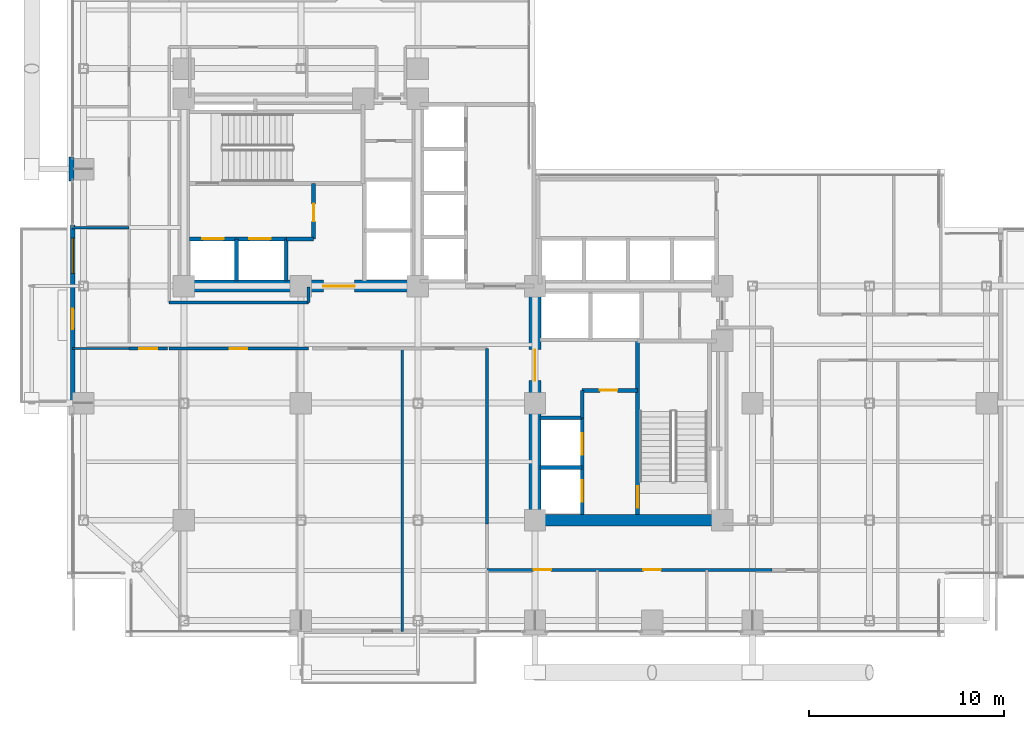
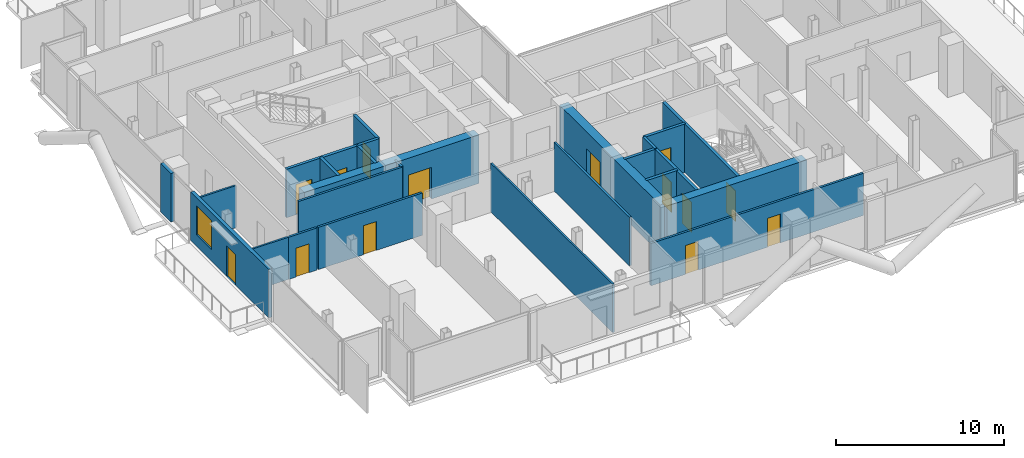
# One storey, part 20 of 26: 25 walls, 14 doors, 1 window, 15 openings.
"""IFC4 building model written with IfcOpenShell, lengths in metres."""

from ifc_helpers import new_model, si_unit, direction, frame, frame_2d, origin, place, context, subcontext, project, spatial, rectangle, extrude, material, layer, layer_set, type_object, element, fill, save


model = new_model("IFC4")

# Units and contexts
model_context = context("Model", 3, precision=1e-05, world=origin(), true_north=direction((0.0, 1.0)))
body_context = subcontext(model_context, "Body", "Model", "MODEL_VIEW")
ifc_project = project(units=[si_unit("LENGTHUNIT", "METRE"), si_unit("AREAUNIT", "SQUARE_METRE"), si_unit("VOLUMEUNIT", "CUBIC_METRE"), si_unit("PLANEANGLEUNIT", "RADIAN"), si_unit("MASSUNIT", "GRAM", prefix="KILO"), si_unit("THERMODYNAMICTEMPERATUREUNIT", "KELVIN"), si_unit("POWERUNIT", "WATT")], contexts=[model_context])

# Site, building, storey
site_placement = place(None, origin())
site = spatial("IfcSite", under=ifc_project, at=site_placement, CompositionType="ELEMENT")
building_placement = place(site_placement, origin())
building = spatial("IfcBuilding", under=site, at=building_placement, Name="Svarakhadi Broadcast Tower", CompositionType="ELEMENT")
storey_placement = place(building_placement, frame((0.0, 0.0, 99.60009765625)))
storey = spatial("IfcBuildingStorey", under=building, at=storey_placement, Name="L23", CompositionType="ELEMENT", Elevation=99.60009765625)

# Wall, openings, door, window
ifc_material_1 = material(Name="Concrete C40/50 (IS 456 M50)", Category="concrete")
ifc_layer_1 = layer(ifc_material_1, 0.239990234375)
ifc_layer_set_1 = layer_set([ifc_layer_1], Name="Concrete C40/50 (IS 456 M50)")
wall_type_1 = type_object("IfcWallType", Name="Wall_Ext_240", PredefinedType="SOLIDWALL", material=ifc_layer_set_1)
wall_1_placement = place(storey_placement, frame((0.300048828125, 11.85498046875, 0.0), z_axis=(0.0, 0.0, 1.0), x_axis=(0.0, 1.0, 0.0)))
wall_1 = element("IfcWall", 1, at=wall_1_placement, inside=storey, type_object=wall_type_1, Name="L23 West Tree Balcony Spandrel Wall", PredefinedType="SOLIDWALL", context=body_context, shape_type="SweptSolid", body=[
    extrude(rectangle(XDim=9.2900390625, YDim=0.239990234375, at=frame_2d((4.64501953125, 0.0))), origin(), (0.0, 0.0, 1.0), 3.52490234375),
])
opening_1_placement = place(wall_1_placement, frame((3.945068359375, 0.0, 0.0)))
opening_1 = element("IfcOpeningElement", 2, at=opening_1_placement, cuts=wall_1, Name="Opening ED-06", PredefinedType="OPENING", context=body_context, shape_type="SweptSolid", body=[
    extrude(rectangle(XDim=1.050048828125, YDim=2.199951171875, at=frame_2d((0.52490234375, 1.10009765625))), frame((0.0, 0.1298828125, 0.0), z_axis=(0.0, -1.0, 0.0), x_axis=(1.0, 0.0, 0.0)), (0.0, 0.0, 1.0), 0.260009765625),
])
opening_2_placement = place(wall_1_placement, frame((6.800048828125, 0.0, 0.85009765625)))
opening_2 = element("IfcOpeningElement", 3, at=opening_2_placement, cuts=wall_1, Name="Opening WN-02", PredefinedType="OPENING", context=body_context, shape_type="SweptSolid", body=[
    extrude(rectangle(XDim=1.800048828125, YDim=2.10009765625, at=frame_2d((0.89990234375, 1.050048828125))), frame((0.0, 0.1298828125, 0.0), z_axis=(0.0, -1.0, 0.0), x_axis=(1.0, 0.0, 0.0)), (0.0, 0.0, 1.0), 0.260009765625),
])
ifc_material_2 = material(Name="Anodised Bronze Aluminium AA 6063-T6", Category="aluminium")
door_type_1 = type_object("IfcDoorType", Name="Door_Ext_ED06", OperationType="SINGLE_SWING_RIGHT", PredefinedType="DOOR", material=ifc_material_2)
door_1_placement = place(opening_1_placement, origin())
door_1 = element("IfcDoor", 4, at=door_1_placement, inside=storey, type_object=door_type_1, Name="L23 West Tree Balcony Door", OperationType="SINGLE_SWING_RIGHT", OverallHeight=2.199951171875, OverallWidth=1.050048828125, PredefinedType="DOOR", context=body_context, shape_type="SweptSolid", body=[
    extrude(rectangle(XDim=1.050048828125, YDim=2.199951171875, at=frame_2d((0.52490234375, 1.10009765625))), frame((0.0, 0.02490234375, 0.0), z_axis=(0.0, -1.0, 0.0), x_axis=(1.0, 0.0, 0.0)), (0.0, 0.0, 1.0), 0.050048828125),
])
fill(opening_1, door_1)
ifc_material_3 = material(Name="Double Low-E Laminated Acoustic Glass IGU 36 mm", Category="glass")
window_type = type_object("IfcWindowType", Name="Win_Fixed_WN02", PartitioningType="SINGLE_PANEL", PredefinedType="WINDOW", material=ifc_material_3)
window_placement = place(opening_2_placement, origin())
window = element("IfcWindow", 5, at=window_placement, inside=storey, type_object=window_type, Name="L23 West Tree Balcony Window", OverallHeight=2.10009765625, OverallWidth=1.800048828125, PartitioningType="SINGLE_PANEL", PredefinedType="WINDOW", context=body_context, shape_type="SweptSolid", body=[
    extrude(rectangle(XDim=1.800048828125, YDim=2.10009765625, at=frame_2d((0.89990234375, 1.050048828125))), frame((0.0, 0.030029296875, 0.0), z_axis=(0.0, -1.0, 0.0), x_axis=(1.0, 0.0, 0.0)), (0.0, 0.0, 1.0), 0.06005859375),
])
fill(opening_2, window)

# Walls
wall_2_placement = place(storey_placement, frame((0.239990234375, 23.385009765625, 0.0), z_axis=(0.0, 0.0, 1.0), x_axis=(0.0, 1.0, 0.0)))
element("IfcWall", 6, at=wall_2_placement, inside=storey, type_object=wall_type_1, Name="L23 Perimeter Bronze Spandrel Closure Wall 02", PredefinedType="SOLIDWALL", context=body_context, shape_type="SweptSolid", body=[
    extrude(rectangle(XDim=1.22998046875, YDim=0.239990234375, at=frame_2d((0.614990234375, 0.0))), origin(), (0.0, 0.0, 1.0), 3.52490234375),
])
ifc_material_4 = material(Name="Fire-Rated Moisture-Resistant Gypsum Board Partition", Category="gypsum")
ifc_layer_2 = layer(ifc_material_4, 0.125)
ifc_layer_set_2 = layer_set([ifc_layer_2], Name="Fire-Rated Moisture-Resistant Gypsum Board Partition")
wall_type_2 = type_object("IfcWallType", Name="Wall_Part_125", PredefinedType="PARTITIONING", material=ifc_layer_set_2)
wall_3_placement = place(storey_placement, frame((17.199951171875, 0.300048828125, 0.0), z_axis=(0.0, 0.0, 1.0), x_axis=(0.0, 1.0, 0.0)))
element("IfcWall", 7, at=wall_3_placement, inside=storey, type_object=wall_type_2, Name="L23 Regional Editors Room Wall", PredefinedType="PARTITIONING", context=body_context, shape_type="SweptSolid", body=[
    extrude(rectangle(XDim=14.5, YDim=0.125, at=frame_2d((7.25, 0.0))), origin(), (0.0, 0.0, 1.0), 3.52490234375),
])
for number, where, z_axis, x_axis, name in (
    (8, (0.300048828125, 14.800048828125, 0.0), (0.0, 0.0, 1.0), (1.0, 0.0, 0.0), "L23 Arabian Sea Commentary Booth Wall"),
    (9, (0.300048828125, 21.0, 0.0), (0.0, 0.0, 1.0), (1.0, 0.0, 0.0), "L23 Arabian Sea Commentary Booth Wall"),
):
    element("IfcWall", number, at=place(storey_placement, frame(where, z_axis=z_axis, x_axis=x_axis)), inside=storey, type_object=wall_type_2, Name=name, PredefinedType="PARTITIONING", context=body_context, shape_type="SweptSolid", body=[
        extrude(rectangle(XDim=2.89990234375, YDim=0.125, at=frame_2d((1.449951171875, 0.0))), origin(), (0.0, 0.0, 1.0), 3.06689453125),
    ])

# Wall, openings, doors
ifc_material_5 = material(Name="Autoclaved Aerated Concrete Blockwork 150 mm", Category="masonry")
ifc_layer_3 = layer(ifc_material_5, 0.14990234375)
ifc_layer_set_3 = layer_set([ifc_layer_3], Name="Autoclaved Aerated Concrete Blockwork 150 mm")
wall_type_3 = type_object("IfcWallType", Name="Wall_Part_150", PredefinedType="PARTITIONING", material=ifc_layer_set_3)
wall_4_placement = place(storey_placement, frame((36.14990234375, 3.449951171875, 0.0), z_axis=(0.0, 0.0, 1.0), x_axis=(-1.0, 0.0, 0.0)))
wall_4 = element("IfcWall", 10, at=wall_4_placement, inside=storey, type_object=wall_type_3, Name="L23 Broadcast Corridor Wall", PredefinedType="PARTITIONING", context=body_context, shape_type="SweptSolid", body=[
    extrude(rectangle(XDim=14.599853515625, YDim=0.14990234375, at=frame_2d((7.2998046875, 0.0))), origin(), (0.0, 0.0, 1.0), 3.06689453125),
])
opening_3_placement = place(wall_4_placement, frame((11.324951171875, 0.0, 0.0)))
opening_3 = element("IfcOpeningElement", 11, at=opening_3_placement, cuts=wall_4, Name="Opening D-14", PredefinedType="OPENING", context=body_context, shape_type="SweptSolid", body=[
    extrude(rectangle(XDim=0.89990234375, YDim=2.10009765625, at=frame_2d((0.449951171875, 1.050048828125))), frame((0.0, 0.0849609375, 0.0), z_axis=(0.0, -1.0, 0.0), x_axis=(1.0, 0.0, 0.0)), (0.0, 0.0, 1.0), 0.169921875),
])
opening_4_placement = place(wall_4_placement, frame((5.699951171875, 0.0, 0.0)))
opening_4 = element("IfcOpeningElement", 12, at=opening_4_placement, cuts=wall_4, Name="Opening D-15", PredefinedType="OPENING", context=body_context, shape_type="SweptSolid", body=[
    extrude(rectangle(XDim=0.89990234375, YDim=2.10009765625, at=frame_2d((0.449951171875, 1.050048828125))), frame((0.0, 0.0849609375, 0.0), z_axis=(0.0, -1.0, 0.0), x_axis=(1.0, 0.0, 0.0)), (0.0, 0.0, 1.0), 0.169921875),
])
ifc_material_6 = material(Name="Solid-Core Teak Veneer Acoustic Timber Leaf", Category="wood")
door_type_2 = type_object("IfcDoorType", Name="Door_Int_D14", OperationType="SINGLE_SWING_LEFT", PredefinedType="DOOR", material=ifc_material_6)
door_2_placement = place(opening_3_placement, origin())
door_2 = element("IfcDoor", 13, at=door_2_placement, inside=storey, type_object=door_type_2, Name="L23 South Harbour Editorial Desk Door", OperationType="SINGLE_SWING_LEFT", OverallHeight=2.10009765625, OverallWidth=0.89990234375, PredefinedType="DOOR", context=body_context, shape_type="SweptSolid", body=[
    extrude(rectangle(XDim=0.89990234375, YDim=2.10009765625, at=frame_2d((0.449951171875, 1.050048828125))), frame((0.0, 0.02490234375, 0.0), z_axis=(0.0, -1.0, 0.0), x_axis=(1.0, 0.0, 0.0)), (0.0, 0.0, 1.0), 0.050048828125),
])
fill(opening_3, door_2)
door_type_3 = type_object("IfcDoorType", Name="Door_Int_D15", OperationType="SINGLE_SWING_RIGHT", PredefinedType="DOOR", material=ifc_material_6)
door_3_placement = place(opening_4_placement, origin())
door_3 = element("IfcDoor", 14, at=door_3_placement, inside=storey, type_object=door_type_3, Name="L23 Media Legal Review Office Door", OperationType="SINGLE_SWING_RIGHT", OverallHeight=2.10009765625, OverallWidth=0.89990234375, PredefinedType="DOOR", context=body_context, shape_type="SweptSolid", body=[
    extrude(rectangle(XDim=0.89990234375, YDim=2.10009765625, at=frame_2d((0.449951171875, 1.050048828125))), frame((0.0, 0.02490234375, 0.0), z_axis=(0.0, -1.0, 0.0), x_axis=(1.0, 0.0, 0.0)), (0.0, 0.0, 1.0), 0.050048828125),
])
fill(opening_4, door_3)

# Wall
wall_5_placement = place(storey_placement, frame((21.550048828125, 5.800048828125, 0.0), z_axis=(0.0, 0.0, 1.0), x_axis=(0.0, 1.0, 0.0)))
element("IfcWall", 15, at=wall_5_placement, inside=storey, type_object=wall_type_3, Name="L23 Broadcast Corridor Wall", PredefinedType="PARTITIONING", context=body_context, shape_type="SweptSolid", body=[
    extrude(rectangle(XDim=9.0, YDim=0.14990234375, at=frame_2d((4.5, 0.0))), origin(), (0.0, 0.0, 1.0), 3.52490234375),
])

# Wall, opening, door
wall_6_placement = place(storey_placement, frame((12.39990234375, 14.800048828125, 0.0), z_axis=(0.0, 0.0, 1.0), x_axis=(-1.0, 0.0, 0.0)))
wall_6 = element("IfcWall", 16, at=wall_6_placement, inside=storey, type_object=wall_type_3, Name="L23 Broadcast Corridor Wall", PredefinedType="PARTITIONING", context=body_context, shape_type="SweptSolid", body=[
    extrude(rectangle(XDim=7.14990234375, YDim=0.14990234375, at=frame_2d((3.574951171875, 0.0))), origin(), (0.0, 0.0, 1.0), 3.06689453125),
])
opening_5_placement = place(wall_6_placement, frame((3.14990234375, 0.0, 0.0)))
opening_5 = element("IfcOpeningElement", 17, at=opening_5_placement, cuts=wall_6, Name="Opening D-14", PredefinedType="OPENING", context=body_context, shape_type="SweptSolid", body=[
    extrude(rectangle(XDim=0.89990234375, YDim=2.10009765625, at=frame_2d((0.449951171875, 1.050048828125))), frame((0.0, 0.0849609375, 0.0), z_axis=(0.0, -1.0, 0.0), x_axis=(1.0, 0.0, 0.0)), (0.0, 0.0, 1.0), 0.169921875),
])
door_4_placement = place(opening_5_placement, origin())
door_4 = element("IfcDoor", 18, at=door_4_placement, inside=storey, type_object=door_type_2, Name="L23 Konkani Cultural Broadcast Office Door", OperationType="SINGLE_SWING_LEFT", OverallHeight=2.10009765625, OverallWidth=0.89990234375, PredefinedType="DOOR", context=body_context, shape_type="SweptSolid", body=[
    extrude(rectangle(XDim=0.89990234375, YDim=2.10009765625, at=frame_2d((0.449951171875, 1.050048828125))), frame((0.0, 0.02490234375, 0.0), z_axis=(0.0, -1.0, 0.0), x_axis=(1.0, 0.0, 0.0)), (0.0, 0.0, 1.0), 0.050048828125),
])
fill(opening_5, door_4)

wall_7_placement = place(storey_placement, frame((5.14990234375, 14.800048828125, 0.0), z_axis=(0.0, 0.0, 1.0), x_axis=(-1.0, 0.0, 0.0)))
wall_7 = element("IfcWall", 19, at=wall_7_placement, inside=storey, type_object=wall_type_3, Name="L23 Broadcast Corridor Wall", PredefinedType="PARTITIONING", context=body_context, shape_type="SweptSolid", body=[
    extrude(rectangle(XDim=1.949951171875, YDim=0.14990234375, at=frame_2d((0.97509765625, 0.0))), origin(), (0.0, 0.0, 1.0), 3.06689453125),
])
opening_6_placement = place(wall_7_placement, frame((0.52490234375, 0.0, 0.0)))
opening_6 = element("IfcOpeningElement", 20, at=opening_6_placement, cuts=wall_7, Name="Opening D-15", PredefinedType="OPENING", context=body_context, shape_type="SweptSolid", body=[
    extrude(rectangle(XDim=0.89990234375, YDim=2.10009765625, at=frame_2d((0.449951171875, 1.050048828125))), frame((0.0, 0.0849609375, 0.0), z_axis=(0.0, -1.0, 0.0), x_axis=(1.0, 0.0, 0.0)), (0.0, 0.0, 1.0), 0.169921875),
])
door_5_placement = place(opening_6_placement, origin())
door_5 = element("IfcDoor", 21, at=door_5_placement, inside=storey, type_object=door_type_3, Name="L23 Marathi Regional News Desk Door", OperationType="SINGLE_SWING_RIGHT", OverallHeight=2.10009765625, OverallWidth=0.89990234375, PredefinedType="DOOR", context=body_context, shape_type="SweptSolid", body=[
    extrude(rectangle(XDim=0.89990234375, YDim=2.10009765625, at=frame_2d((0.449951171875, 1.050048828125))), frame((0.0, 0.02490234375, 0.0), z_axis=(0.0, -1.0, 0.0), x_axis=(1.0, 0.0, 0.0)), (0.0, 0.0, 1.0), 0.050048828125),
])
fill(opening_6, door_5)

# Walls
wall_8_placement = place(storey_placement, frame((5.25, 17.14990234375, 0.0), z_axis=(0.0, 0.0, 1.0), x_axis=(1.0, 0.0, 0.0)))
element("IfcWall", 22, at=wall_8_placement, inside=storey, type_object=wall_type_3, Name="L23 Broadcast Corridor Wall", PredefinedType="PARTITIONING", context=body_context, shape_type="SweptSolid", body=[
    extrude(rectangle(XDim=7.14990234375, YDim=0.14990234375, at=frame_2d((3.574951171875, 0.0))), origin(), (0.0, 0.0, 1.0), 3.52490234375),
])
wall_9_placement = place(storey_placement, frame((12.39990234375, 17.14990234375, 0.0), z_axis=(0.0, 0.0, 1.0), x_axis=(0.0, 1.0, 0.0)))
element("IfcWall", 23, at=wall_9_placement, inside=storey, type_object=wall_type_3, Name="L23 Broadcast Corridor Wall", PredefinedType="PARTITIONING", context=body_context, shape_type="SweptSolid", body=[
    extrude(rectangle(XDim=0.800048828125, YDim=0.14990234375, at=frame_2d((0.39990234375, 0.0))), origin(), (0.0, 0.0, 1.0), 3.52490234375),
])

# Wall, opening, door
ifc_material_7 = material(Name="Concrete C50/60 (IS 456 M60)", Category="concrete")
ifc_layer_4 = layer(ifc_material_7, 0.199951171875)
ifc_layer_set_4 = layer_set([ifc_layer_4], Name="Concrete C50/60 (IS 456 M60)")
wall_type_4 = type_object("IfcWallType", Name="Wall_Shear_200", PredefinedType="SHEAR", material=ifc_layer_set_4)
wall_10_placement = place(storey_placement, frame((29.260009765625, 6.300048828125, 0.0), z_axis=(0.0, 0.0, 1.0), x_axis=(0.0, 1.0, 0.0)))
wall_10 = element("IfcWall", 24, at=wall_10_placement, inside=storey, type_object=wall_type_4, Name="L23 Stair ST-02 West RC Shaft Wall", PredefinedType="SHEAR", context=body_context, shape_type="SweptSolid", body=[
    extrude(rectangle(XDim=8.8798828125, YDim=0.199951171875, at=frame_2d((4.43994140625, 0.0))), origin(), (0.0, 0.0, 1.0), 3.52490234375),
])
opening_7_placement = place(wall_10_placement, frame((0.35009765625, 0.0, 0.0)))
opening_7 = element("IfcOpeningElement", 25, at=opening_7_placement, cuts=wall_10, Name="Opening D-02", PredefinedType="OPENING", context=body_context, shape_type="SweptSolid", body=[
    extrude(rectangle(XDim=1.10009765625, YDim=2.199951171875, at=frame_2d((0.550048828125, 1.10009765625))), frame((0.0, 0.10986328125, 0.0), z_axis=(0.0, -1.0, 0.0), x_axis=(1.0, 0.0, 0.0)), (0.0, 0.0, 1.0), 0.219970703125),
])
ifc_material_8 = material(Name="Galvanised Powder-Coated Fire-Rated Steel Leaf", Category="steel")
door_type_4 = type_object("IfcDoorType", Name="Door_Stair_D02", OperationType="SINGLE_SWING_RIGHT", PredefinedType="DOOR", material=ifc_material_8)
door_6_placement = place(opening_7_placement, origin())
door_6 = element("IfcDoor", 26, at=door_6_placement, inside=storey, type_object=door_type_4, Name="L23 Protected Exit Stair ST-02 Fire Door", OperationType="SINGLE_SWING_RIGHT", OverallHeight=2.199951171875, OverallWidth=1.10009765625, PredefinedType="DOOR", context=body_context, shape_type="SweptSolid", body=[
    extrude(rectangle(XDim=1.10009765625, YDim=2.199951171875, at=frame_2d((0.550048828125, 1.10009765625))), frame((0.0, 0.02490234375, 0.0), z_axis=(0.0, -1.0, 0.0), x_axis=(1.0, 0.0, 0.0)), (0.0, 0.0, 1.0), 0.050048828125),
])
fill(opening_7, door_6)

# Wall, openings, doors
wall_11_placement = place(storey_placement, frame((6.300048828125, 20.419921875, 0.0), z_axis=(0.0, 0.0, 1.0), x_axis=(1.0, 0.0, 0.0)))
wall_11 = element("IfcWall", 27, at=wall_11_placement, inside=storey, type_object=wall_type_4, Name="L23 Firefighting Lift LF-01/02 Shaft Wall", PredefinedType="SHEAR", context=body_context, shape_type="SweptSolid", body=[
    extrude(rectangle(XDim=4.949951171875, YDim=0.199951171875, at=frame_2d((2.47509765625, 0.0))), origin(), (0.0, 0.0, 1.0), 3.52490234375),
])
opening_8_placement = place(wall_11_placement, frame((0.64990234375, 0.0, 0.0)))
opening_8 = element("IfcOpeningElement", 28, at=opening_8_placement, cuts=wall_11, Name="Opening LD-01", PredefinedType="OPENING", context=body_context, shape_type="SweptSolid", body=[
    extrude(rectangle(XDim=1.10009765625, YDim=2.199951171875, at=frame_2d((0.550048828125, 1.10009765625))), frame((0.0, 0.10986328125, 0.0), z_axis=(0.0, -1.0, 0.0), x_axis=(1.0, 0.0, 0.0)), (0.0, 0.0, 1.0), 0.219970703125),
])
opening_9_placement = place(wall_11_placement, frame((3.050048828125, 0.0, 0.0)))
opening_9 = element("IfcOpeningElement", 29, at=opening_9_placement, cuts=wall_11, Name="Opening LD-01", PredefinedType="OPENING", context=body_context, shape_type="SweptSolid", body=[
    extrude(rectangle(XDim=1.10009765625, YDim=2.199951171875, at=frame_2d((0.550048828125, 1.10009765625))), frame((0.0, 0.10986328125, 0.0), z_axis=(0.0, -1.0, 0.0), x_axis=(1.0, 0.0, 0.0)), (0.0, 0.0, 1.0), 0.219970703125),
])
door_type_5 = type_object("IfcDoorType", Name="Door_Lift_LD01", OperationType="SLIDING_TO_LEFT", PredefinedType="DOOR", material=ifc_material_8)
door_7_placement = place(opening_8_placement, origin())
door_7 = element("IfcDoor", 30, at=door_7_placement, inside=storey, type_object=door_type_5, Name="L23 Firefighting Lift LF-01 Landing Door", OperationType="SLIDING_TO_LEFT", OverallHeight=2.199951171875, OverallWidth=1.10009765625, PredefinedType="DOOR", context=body_context, shape_type="SweptSolid", body=[
    extrude(rectangle(XDim=1.10009765625, YDim=2.199951171875, at=frame_2d((0.550048828125, 1.10009765625))), frame((0.0, 0.02490234375, 0.0), z_axis=(0.0, -1.0, 0.0), x_axis=(1.0, 0.0, 0.0)), (0.0, 0.0, 1.0), 0.050048828125),
])
fill(opening_8, door_7)
door_8_placement = place(opening_9_placement, origin())
door_8 = element("IfcDoor", 31, at=door_8_placement, inside=storey, type_object=door_type_5, Name="L23 Firefighting Lift LF-02 Landing Door", OperationType="SLIDING_TO_LEFT", OverallHeight=2.199951171875, OverallWidth=1.10009765625, PredefinedType="DOOR", context=body_context, shape_type="SweptSolid", body=[
    extrude(rectangle(XDim=1.10009765625, YDim=2.199951171875, at=frame_2d((0.550048828125, 1.10009765625))), frame((0.0, 0.02490234375, 0.0), z_axis=(0.0, -1.0, 0.0), x_axis=(1.0, 0.0, 0.0)), (0.0, 0.0, 1.0), 0.050048828125),
])
fill(opening_9, door_8)

# Walls
for number, where, z_axis, x_axis, name in (
    (32, (8.699951171875, 18.25, 0.0), (0.0, 0.0, 1.0), (0.0, 1.0, 0.0), "L23 Firefighting Lift LF-01/02 Divider Wall"),
    (33, (11.25, 18.25, 0.0), (0.0, 0.0, 1.0), (0.0, 1.0, 0.0), "L23 Firefighting Lift LF-02 East Wall"),
):
    element("IfcWall", number, at=place(storey_placement, frame(where, z_axis=z_axis, x_axis=x_axis)), inside=storey, type_object=wall_type_4, Name=name, PredefinedType="SHEAR", context=body_context, shape_type="SweptSolid", body=[
        extrude(rectangle(XDim=2.169921875, YDim=0.199951171875, at=frame_2d((1.0849609375, 0.0))), origin(), (0.0, 0.0, 1.0), 3.52490234375),
    ])
wall_12_placement = place(storey_placement, frame((11.25, 20.419921875, 0.0), z_axis=(0.0, 0.0, 1.0), x_axis=(1.0, 0.0, 0.0)))
element("IfcWall", 34, at=wall_12_placement, inside=storey, type_object=wall_type_4, Name="L23 West Firefighting Lobby South Wall", PredefinedType="SHEAR", context=body_context, shape_type="SweptSolid", body=[
    extrude(rectangle(XDim=1.39990234375, YDim=0.199951171875, at=frame_2d((0.699951171875, 0.0))), origin(), (0.0, 0.0, 1.0), 3.52490234375),
])

# Wall, opening, door
wall_13_placement = place(storey_placement, frame((12.64990234375, 20.419921875, 0.0), z_axis=(0.0, 0.0, 1.0), x_axis=(0.0, 1.0, 0.0)))
wall_13 = element("IfcWall", 35, at=wall_13_placement, inside=storey, type_object=wall_type_4, Name="L23 West Firefighting Lobby East Wall", PredefinedType="SHEAR", context=body_context, shape_type="SweptSolid", body=[
    extrude(rectangle(XDim=2.840087890625, YDim=0.199951171875, at=frame_2d((1.419921875, 0.0))), origin(), (0.0, 0.0, 1.0), 3.52490234375),
])
opening_10_placement = place(wall_13_placement, frame((0.89990234375, 0.0, 0.0)))
opening_10 = element("IfcOpeningElement", 36, at=opening_10_placement, cuts=wall_13, Name="Opening D-03", PredefinedType="OPENING", context=body_context, shape_type="SweptSolid", body=[
    extrude(rectangle(XDim=0.89990234375, YDim=2.14990234375, at=frame_2d((0.449951171875, 1.074951171875))), frame((0.0, 0.10986328125, 0.0), z_axis=(0.0, -1.0, 0.0), x_axis=(1.0, 0.0, 0.0)), (0.0, 0.0, 1.0), 0.219970703125),
])
door_type_6 = type_object("IfcDoorType", Name="Door_Fire_D03", OperationType="SINGLE_SWING_LEFT", PredefinedType="DOOR", material=ifc_material_8)
door_9_placement = place(opening_10_placement, origin())
door_9 = element("IfcDoor", 37, at=door_9_placement, inside=storey, type_object=door_type_6, Name="L23 West Firefighting Lobby Fire Door", OperationType="SINGLE_SWING_LEFT", OverallHeight=2.14990234375, OverallWidth=0.89990234375, PredefinedType="DOOR", context=body_context, shape_type="SweptSolid", body=[
    extrude(rectangle(XDim=0.89990234375, YDim=2.14990234375, at=frame_2d((0.449951171875, 1.074951171875))), frame((0.0, 0.02490234375, 0.0), z_axis=(0.0, -1.0, 0.0), x_axis=(1.0, 0.0, 0.0)), (0.0, 0.0, 1.0), 0.050048828125),
])
fill(opening_10, door_9)

# Wall, openings, doors
wall_14_placement = place(storey_placement, frame((26.419921875, 6.300048828125, 0.0), z_axis=(0.0, 0.0, 1.0), x_axis=(0.0, 1.0, 0.0)))
wall_14 = element("IfcWall", 38, at=wall_14_placement, inside=storey, type_object=wall_type_4, Name="L23 Firefighting Lift LF-03/04 Shaft Wall", PredefinedType="SHEAR", context=body_context, shape_type="SweptSolid", body=[
    extrude(rectangle(XDim=4.949951171875, YDim=0.199951171875, at=frame_2d((2.47509765625, 0.0))), origin(), (0.0, 0.0, 1.0), 3.52490234375),
])
opening_11_placement = place(wall_14_placement, frame((0.64990234375, 0.0, 0.0)))
opening_11 = element("IfcOpeningElement", 39, at=opening_11_placement, cuts=wall_14, Name="Opening LD-01", PredefinedType="OPENING", context=body_context, shape_type="SweptSolid", body=[
    extrude(rectangle(XDim=1.10009765625, YDim=2.199951171875, at=frame_2d((0.550048828125, 1.10009765625))), frame((0.0, 0.10986328125, 0.0), z_axis=(0.0, -1.0, 0.0), x_axis=(1.0, 0.0, 0.0)), (0.0, 0.0, 1.0), 0.219970703125),
])
opening_12_placement = place(wall_14_placement, frame((3.050048828125, 0.0, 0.0)))
opening_12 = element("IfcOpeningElement", 40, at=opening_12_placement, cuts=wall_14, Name="Opening LD-01", PredefinedType="OPENING", context=body_context, shape_type="SweptSolid", body=[
    extrude(rectangle(XDim=1.10009765625, YDim=2.199951171875, at=frame_2d((0.550048828125, 1.10009765625))), frame((0.0, 0.10986328125, 0.0), z_axis=(0.0, -1.0, 0.0), x_axis=(1.0, 0.0, 0.0)), (0.0, 0.0, 1.0), 0.219970703125),
])
door_10_placement = place(opening_11_placement, origin())
door_10 = element("IfcDoor", 41, at=door_10_placement, inside=storey, type_object=door_type_5, Name="L23 Firefighting Lift LF-03 Landing Door", OperationType="SLIDING_TO_LEFT", OverallHeight=2.199951171875, OverallWidth=1.10009765625, PredefinedType="DOOR", context=body_context, shape_type="SweptSolid", body=[
    extrude(rectangle(XDim=1.10009765625, YDim=2.199951171875, at=frame_2d((0.550048828125, 1.10009765625))), frame((0.0, 0.02490234375, 0.0), z_axis=(0.0, -1.0, 0.0), x_axis=(1.0, 0.0, 0.0)), (0.0, 0.0, 1.0), 0.050048828125),
])
fill(opening_11, door_10)
door_11_placement = place(opening_12_placement, origin())
door_11 = element("IfcDoor", 42, at=door_11_placement, inside=storey, type_object=door_type_5, Name="L23 Firefighting Lift LF-04 Landing Door", OperationType="SLIDING_TO_LEFT", OverallHeight=2.199951171875, OverallWidth=1.10009765625, PredefinedType="DOOR", context=body_context, shape_type="SweptSolid", body=[
    extrude(rectangle(XDim=1.10009765625, YDim=2.199951171875, at=frame_2d((0.550048828125, 1.10009765625))), frame((0.0, 0.02490234375, 0.0), z_axis=(0.0, -1.0, 0.0), x_axis=(1.0, 0.0, 0.0)), (0.0, 0.0, 1.0), 0.050048828125),
])
fill(opening_12, door_11)

# Walls
for number, where, z_axis, x_axis, name in (
    (43, (24.25, 8.699951171875, 0.0), (0.0, 0.0, 1.0), (1.0, 0.0, 0.0), "L23 Firefighting Lift LF-03/04 Divider Wall"),
    (44, (24.25, 11.25, 0.0), (0.0, 0.0, 1.0), (1.0, 0.0, 0.0), "L23 Firefighting Lift LF-04 North Wall"),
):
    element("IfcWall", number, at=place(storey_placement, frame(where, z_axis=z_axis, x_axis=x_axis)), inside=storey, type_object=wall_type_4, Name=name, PredefinedType="SHEAR", context=body_context, shape_type="SweptSolid", body=[
        extrude(rectangle(XDim=2.169921875, YDim=0.199951171875, at=frame_2d((1.0849609375, 0.0))), origin(), (0.0, 0.0, 1.0), 3.52490234375),
    ])
wall_15_placement = place(storey_placement, frame((26.419921875, 11.25, 0.0), z_axis=(0.0, 0.0, 1.0), x_axis=(0.0, 1.0, 0.0)))
element("IfcWall", 45, at=wall_15_placement, inside=storey, type_object=wall_type_4, Name="L23 East Firefighting Lobby West Wall", PredefinedType="SHEAR", context=body_context, shape_type="SweptSolid", body=[
    extrude(rectangle(XDim=1.39990234375, YDim=0.199951171875, at=frame_2d((0.699951171875, 0.0))), origin(), (0.0, 0.0, 1.0), 3.52490234375),
])

# Wall, opening, door
wall_16_placement = place(storey_placement, frame((26.419921875, 12.64990234375, 0.0), z_axis=(0.0, 0.0, 1.0), x_axis=(1.0, 0.0, 0.0)))
wall_16 = element("IfcWall", 46, at=wall_16_placement, inside=storey, type_object=wall_type_4, Name="L23 East Firefighting Lobby North Wall", PredefinedType="SHEAR", context=body_context, shape_type="SweptSolid", body=[
    extrude(rectangle(XDim=2.840087890625, YDim=0.199951171875, at=frame_2d((1.419921875, 0.0))), origin(), (0.0, 0.0, 1.0), 3.52490234375),
])
opening_13_placement = place(wall_16_placement, frame((0.89990234375, 0.0, 0.0)))
opening_13 = element("IfcOpeningElement", 47, at=opening_13_placement, cuts=wall_16, Name="Opening D-04", PredefinedType="OPENING", context=body_context, shape_type="SweptSolid", body=[
    extrude(rectangle(XDim=0.89990234375, YDim=2.14990234375, at=frame_2d((0.449951171875, 1.074951171875))), frame((0.0, 0.10986328125, 0.0), z_axis=(0.0, -1.0, 0.0), x_axis=(1.0, 0.0, 0.0)), (0.0, 0.0, 1.0), 0.219970703125),
])
door_type_7 = type_object("IfcDoorType", Name="Door_Fire_D04", OperationType="SINGLE_SWING_RIGHT", PredefinedType="DOOR", material=ifc_material_8)
door_12_placement = place(opening_13_placement, origin())
door_12 = element("IfcDoor", 48, at=door_12_placement, inside=storey, type_object=door_type_7, Name="L23 East Firefighting Lobby Fire Door", OperationType="SINGLE_SWING_RIGHT", OverallHeight=2.14990234375, OverallWidth=0.89990234375, PredefinedType="DOOR", context=body_context, shape_type="SweptSolid", body=[
    extrude(rectangle(XDim=0.89990234375, YDim=2.14990234375, at=frame_2d((0.449951171875, 1.074951171875))), frame((0.0, 0.02490234375, 0.0), z_axis=(0.0, -1.0, 0.0), x_axis=(1.0, 0.0, 0.0)), (0.0, 0.0, 1.0), 0.050048828125),
])
fill(opening_13, door_12)

ifc_material_9 = material(Name="Concrete C60/75 (IS 456 M70)", Category="concrete")
ifc_layer_5 = layer(ifc_material_9, 0.60009765625)
ifc_layer_set_5 = layer_set([ifc_layer_5], Name="Concrete C60/75 (IS 456 M70)")
wall_type_5 = type_object("IfcWallType", Name="Wall_Shear_600", PredefinedType="SHEAR", material=ifc_layer_set_5)
wall_17_placement = place(storey_placement, frame((6.0, 18.0, 0.0), z_axis=(0.0, 0.0, 1.0), x_axis=(1.0, 0.0, 0.0)))
wall_17 = element("IfcWall", 49, at=wall_17_placement, inside=storey, type_object=wall_type_5, Name="L23 West Core South Shear Wall", PredefinedType="SHEAR", context=body_context, shape_type="SweptSolid", body=[
    extrude(rectangle(XDim=12.0, YDim=0.60009765625, at=frame_2d((6.0, 0.0))), origin(), (0.0, 0.0, 1.0), 3.52490234375),
])
opening_14_placement = place(wall_17_placement, frame((7.14990234375, 0.0, 0.0)))
opening_14 = element("IfcOpeningElement", 50, at=opening_14_placement, cuts=wall_17, Name="Opening D-05", PredefinedType="OPENING", context=body_context, shape_type="SweptSolid", body=[
    extrude(rectangle(XDim=1.60009765625, YDim=2.300048828125, at=frame_2d((0.800048828125, 1.14990234375))), frame((0.0, 0.31005859375, 0.0), z_axis=(0.0, -1.0, 0.0), x_axis=(1.0, 0.0, 0.0)), (0.0, 0.0, 1.0), 0.6201171875),
])
door_type_8 = type_object("IfcDoorType", Name="Door_Lobby_D05", OperationType="DOUBLE_DOOR_SLIDING", PredefinedType="DOOR", material=ifc_material_2)
door_13_placement = place(opening_14_placement, origin())
door_13 = element("IfcDoor", 51, at=door_13_placement, inside=storey, type_object=door_type_8, Name="L23 West Core Passenger Lift Lobby Entrance Door", OperationType="DOUBLE_DOOR_SLIDING", OverallHeight=2.300048828125, OverallWidth=1.60009765625, PredefinedType="DOOR", context=body_context, shape_type="SweptSolid", body=[
    extrude(rectangle(XDim=1.60009765625, YDim=2.300048828125, at=frame_2d((0.800048828125, 1.14990234375))), frame((0.0, 0.02490234375, 0.0), z_axis=(0.0, -1.0, 0.0), x_axis=(1.0, 0.0, 0.0)), (0.0, 0.0, 1.0), 0.050048828125),
])
fill(opening_14, door_13)

# Wall
wall_18_placement = place(storey_placement, frame((24.0, 6.0, 0.0), z_axis=(0.0, 0.0, 1.0), x_axis=(1.0, 0.0, 0.0)))
element("IfcWall", 52, at=wall_18_placement, inside=storey, type_object=wall_type_5, Name="L23 East Core South Shear Wall", PredefinedType="SHEAR", context=body_context, shape_type="SweptSolid", body=[
    extrude(rectangle(XDim=9.60009765625, YDim=0.60009765625, at=frame_2d((4.800048828125, 0.0))), origin(), (0.0, 0.0, 1.0), 3.52490234375),
])

# Wall, opening, door
wall_19_placement = place(storey_placement, frame((24.0, 6.0, 0.0), z_axis=(0.0, 0.0, 1.0), x_axis=(0.0, 1.0, 0.0)))
wall_19 = element("IfcWall", 53, at=wall_19_placement, inside=storey, type_object=wall_type_5, Name="L23 East Core West Shear Wall", PredefinedType="SHEAR", context=body_context, shape_type="SweptSolid", body=[
    extrude(rectangle(XDim=12.0, YDim=0.60009765625, at=frame_2d((6.0, 0.0))), origin(), (0.0, 0.0, 1.0), 3.52490234375),
])
opening_15_placement = place(wall_19_placement, frame((7.14990234375, 0.0, 0.0)))
opening_15 = element("IfcOpeningElement", 54, at=opening_15_placement, cuts=wall_19, Name="Opening D-05", PredefinedType="OPENING", context=body_context, shape_type="SweptSolid", body=[
    extrude(rectangle(XDim=1.60009765625, YDim=2.300048828125, at=frame_2d((0.800048828125, 1.14990234375))), frame((0.0, 0.31005859375, 0.0), z_axis=(0.0, -1.0, 0.0), x_axis=(1.0, 0.0, 0.0)), (0.0, 0.0, 1.0), 0.6201171875),
])
door_14_placement = place(opening_15_placement, origin())
door_14 = element("IfcDoor", 55, at=door_14_placement, inside=storey, type_object=door_type_8, Name="L23 East Core Passenger Lift Lobby Entrance Door", OperationType="DOUBLE_DOOR_SLIDING", OverallHeight=2.300048828125, OverallWidth=1.60009765625, PredefinedType="DOOR", context=body_context, shape_type="SweptSolid", body=[
    extrude(rectangle(XDim=1.60009765625, YDim=2.300048828125, at=frame_2d((0.800048828125, 1.14990234375))), frame((0.0, 0.02490234375, 0.0), z_axis=(0.0, -1.0, 0.0), x_axis=(1.0, 0.0, 0.0)), (0.0, 0.0, 1.0), 0.050048828125),
])
fill(opening_15, door_14)

save(model, "model.ifc")
